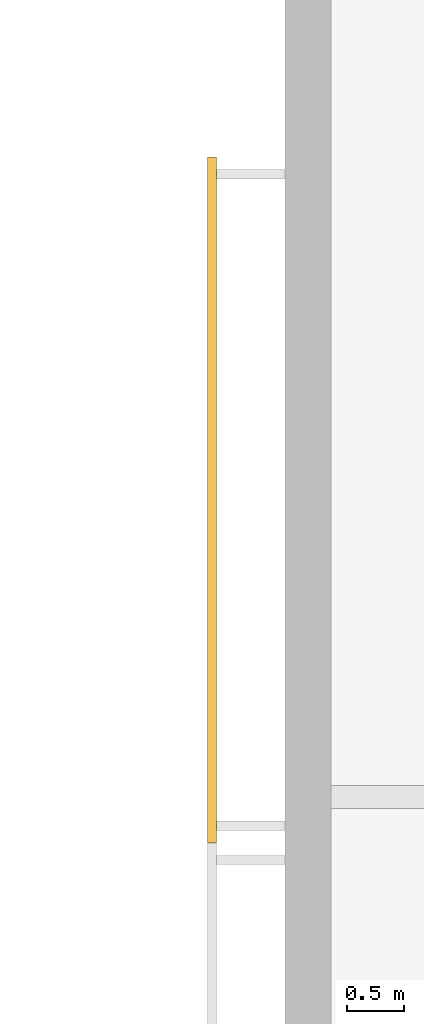
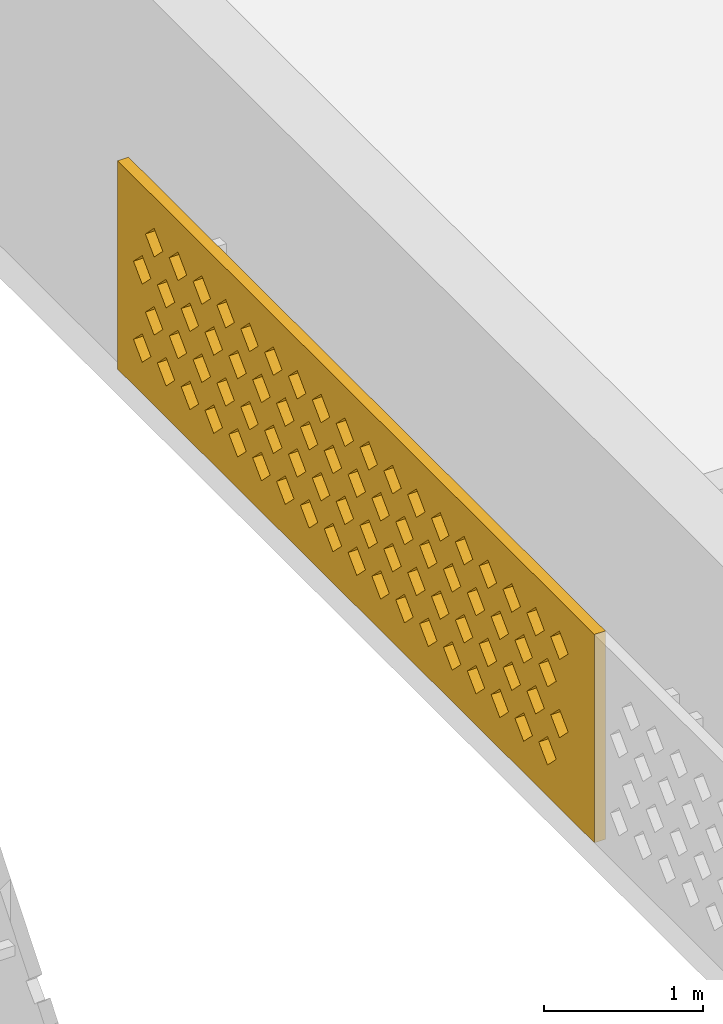
# One storey, part 16 of 18: 1 covering.
"""IFC4 building model written with IfcOpenShell, lengths in metres."""

from ifc_helpers import new_model, si_unit, direction, frame, origin, place, context, subcontext, project, spatial, polyline, outline, extrude, source, transform, mapped, material, material_profile, profile_set, type_object, element, save


model = new_model("IFC4")

# Units and contexts
model_context = context("Model", 3, precision=1e-05, world=origin(), true_north=direction((0.0, 1.0)))
body_context = subcontext(model_context, "Body", "Model", "MODEL_VIEW")
ifc_project = project(units=[si_unit("LENGTHUNIT", "METRE"), si_unit("AREAUNIT", "SQUARE_METRE"), si_unit("VOLUMEUNIT", "CUBIC_METRE"), si_unit("PLANEANGLEUNIT", "RADIAN"), si_unit("MASSUNIT", "GRAM", prefix="KILO")], contexts=[model_context])

# Site, building, storey
site_placement = place(None, origin())
site = spatial("IfcSite", under=ifc_project, at=site_placement, CompositionType="ELEMENT")
building_placement = place(site_placement, origin())
building = spatial("IfcBuilding", under=site, at=building_placement, Name="Poui Terraces", CompositionType="ELEMENT")
storey_placement = place(building_placement, frame((0.0, 0.0, 279.0)))
storey = spatial("IfcBuildingStorey", under=building, at=storey_placement, Name="L77 CROWN", CompositionType="ELEMENT", Elevation=279.0)

# Covering
ifc_material = material(Name="Terracotta screen", Category="masonry")
ifc_material_profile = material_profile(ifc_material, outline(polyline([(-3.0, -0.800048828125), (3.0, -0.800048828125), (3.0, 0.800048828125), (-3.0, 0.800048828125), (-3.0, -0.800048828125)]), holes=[polyline([(-2.800048828125, -0.449951171875), (-2.68994140625, -0.56005859375), (-2.580078125, -0.449951171875), (-2.68994140625, -0.340087890625), (-2.800048828125, -0.449951171875)]), polyline([(-2.5, -0.449951171875), (-2.389892578125, -0.56005859375), (-2.280029296875, -0.449951171875), (-2.389892578125, -0.340087890625), (-2.5, -0.449951171875)]), polyline([(-2.199951171875, -0.449951171875), (-2.090087890625, -0.56005859375), (-1.97998046875, -0.449951171875), (-2.090087890625, -0.340087890625), (-2.199951171875, -0.449951171875)]), polyline([(-1.89990234375, -0.449951171875), (-1.7900390625, -0.56005859375), (-1.679931640625, -0.449951171875), (-1.7900390625, -0.340087890625), (-1.89990234375, -0.449951171875)]), polyline([(-1.60009765625, -0.449951171875), (-1.489990234375, -0.56005859375), (-1.3798828125, -0.449951171875), (-1.489990234375, -0.340087890625), (-1.60009765625, -0.449951171875)]), polyline([(-1.300048828125, -0.449951171875), (-1.18994140625, -0.56005859375), (-1.080078125, -0.449951171875), (-1.18994140625, -0.340087890625), (-1.300048828125, -0.449951171875)]), polyline([(-1.0, -0.449951171875), (-0.889892578125, -0.56005859375), (-0.780029296875, -0.449951171875), (-0.889892578125, -0.340087890625), (-1.0, -0.449951171875)]), polyline([(-0.699951171875, -0.449951171875), (-0.590087890625, -0.56005859375), (-0.47998046875, -0.449951171875), (-0.590087890625, -0.340087890625), (-0.699951171875, -0.449951171875)]), polyline([(-0.39990234375, -0.449951171875), (-0.2900390625, -0.56005859375), (-0.179931640625, -0.449951171875), (-0.2900390625, -0.340087890625), (-0.39990234375, -0.449951171875)]), polyline([(-0.10009765625, -0.449951171875), (0.010009765625, -0.56005859375), (0.1201171875, -0.449951171875), (0.010009765625, -0.340087890625), (-0.10009765625, -0.449951171875)]), polyline([(0.199951171875, -0.449951171875), (0.31005859375, -0.56005859375), (0.419921875, -0.449951171875), (0.31005859375, -0.340087890625), (0.199951171875, -0.449951171875)]), polyline([(0.5, -0.449951171875), (0.610107421875, -0.56005859375), (0.719970703125, -0.449951171875), (0.610107421875, -0.340087890625), (0.5, -0.449951171875)]), polyline([(0.800048828125, -0.449951171875), (0.909912109375, -0.56005859375), (1.02001953125, -0.449951171875), (0.909912109375, -0.340087890625), (0.800048828125, -0.449951171875)]), polyline([(1.10009765625, -0.449951171875), (1.2099609375, -0.56005859375), (1.320068359375, -0.449951171875), (1.2099609375, -0.340087890625), (1.10009765625, -0.449951171875)]), polyline([(1.39990234375, -0.449951171875), (1.510009765625, -0.56005859375), (1.6201171875, -0.449951171875), (1.510009765625, -0.340087890625), (1.39990234375, -0.449951171875)]), polyline([(1.699951171875, -0.449951171875), (1.81005859375, -0.56005859375), (1.919921875, -0.449951171875), (1.81005859375, -0.340087890625), (1.699951171875, -0.449951171875)]), polyline([(2.0, -0.449951171875), (2.110107421875, -0.56005859375), (2.219970703125, -0.449951171875), (2.110107421875, -0.340087890625), (2.0, -0.449951171875)]), polyline([(2.300048828125, -0.449951171875), (2.409912109375, -0.56005859375), (2.52001953125, -0.449951171875), (2.409912109375, -0.340087890625), (2.300048828125, -0.449951171875)]), polyline([(-2.64990234375, -0.14990234375), (-2.5400390625, -0.260009765625), (-2.429931640625, -0.14990234375), (-2.5400390625, -0.0400390625), (-2.64990234375, -0.14990234375)]), polyline([(-2.35009765625, -0.14990234375), (-2.239990234375, -0.260009765625), (-2.1298828125, -0.14990234375), (-2.239990234375, -0.0400390625), (-2.35009765625, -0.14990234375)]), polyline([(-2.050048828125, -0.14990234375), (-1.93994140625, -0.260009765625), (-1.830078125, -0.14990234375), (-1.93994140625, -0.0400390625), (-2.050048828125, -0.14990234375)]), polyline([(-1.75, -0.14990234375), (-1.639892578125, -0.260009765625), (-1.530029296875, -0.14990234375), (-1.639892578125, -0.0400390625), (-1.75, -0.14990234375)]), polyline([(-1.449951171875, -0.14990234375), (-1.340087890625, -0.260009765625), (-1.22998046875, -0.14990234375), (-1.340087890625, -0.0400390625), (-1.449951171875, -0.14990234375)]), polyline([(-1.14990234375, -0.14990234375), (-1.0400390625, -0.260009765625), (-0.929931640625, -0.14990234375), (-1.0400390625, -0.0400390625), (-1.14990234375, -0.14990234375)]), polyline([(-0.85009765625, -0.14990234375), (-0.739990234375, -0.260009765625), (-0.6298828125, -0.14990234375), (-0.739990234375, -0.0400390625), (-0.85009765625, -0.14990234375)]), polyline([(-0.550048828125, -0.14990234375), (-0.43994140625, -0.260009765625), (-0.330078125, -0.14990234375), (-0.43994140625, -0.0400390625), (-0.550048828125, -0.14990234375)]), polyline([(-0.25, -0.14990234375), (-0.139892578125, -0.260009765625), (-0.030029296875, -0.14990234375), (-0.139892578125, -0.0400390625), (-0.25, -0.14990234375)]), polyline([(0.050048828125, -0.14990234375), (0.159912109375, -0.260009765625), (0.27001953125, -0.14990234375), (0.159912109375, -0.0400390625), (0.050048828125, -0.14990234375)]), polyline([(0.35009765625, -0.14990234375), (0.4599609375, -0.260009765625), (0.570068359375, -0.14990234375), (0.4599609375, -0.0400390625), (0.35009765625, -0.14990234375)]), polyline([(0.64990234375, -0.14990234375), (0.760009765625, -0.260009765625), (0.8701171875, -0.14990234375), (0.760009765625, -0.0400390625), (0.64990234375, -0.14990234375)]), polyline([(0.949951171875, -0.14990234375), (1.06005859375, -0.260009765625), (1.169921875, -0.14990234375), (1.06005859375, -0.0400390625), (0.949951171875, -0.14990234375)]), polyline([(1.25, -0.14990234375), (1.360107421875, -0.260009765625), (1.469970703125, -0.14990234375), (1.360107421875, -0.0400390625), (1.25, -0.14990234375)]), polyline([(1.550048828125, -0.14990234375), (1.659912109375, -0.260009765625), (1.77001953125, -0.14990234375), (1.659912109375, -0.0400390625), (1.550048828125, -0.14990234375)]), polyline([(1.85009765625, -0.14990234375), (1.9599609375, -0.260009765625), (2.070068359375, -0.14990234375), (1.9599609375, -0.0400390625), (1.85009765625, -0.14990234375)]), polyline([(2.14990234375, -0.14990234375), (2.260009765625, -0.260009765625), (2.3701171875, -0.14990234375), (2.260009765625, -0.0400390625), (2.14990234375, -0.14990234375)]), polyline([(2.449951171875, -0.14990234375), (2.56005859375, -0.260009765625), (2.669921875, -0.14990234375), (2.56005859375, -0.0400390625), (2.449951171875, -0.14990234375)]), polyline([(-2.800048828125, 0.14990234375), (-2.68994140625, 0.0400390625), (-2.580078125, 0.14990234375), (-2.68994140625, 0.260009765625), (-2.800048828125, 0.14990234375)]), polyline([(-2.5, 0.14990234375), (-2.389892578125, 0.0400390625), (-2.280029296875, 0.14990234375), (-2.389892578125, 0.260009765625), (-2.5, 0.14990234375)]), polyline([(-2.199951171875, 0.14990234375), (-2.090087890625, 0.0400390625), (-1.97998046875, 0.14990234375), (-2.090087890625, 0.260009765625), (-2.199951171875, 0.14990234375)]), polyline([(-1.89990234375, 0.14990234375), (-1.7900390625, 0.0400390625), (-1.679931640625, 0.14990234375), (-1.7900390625, 0.260009765625), (-1.89990234375, 0.14990234375)]), polyline([(-1.60009765625, 0.14990234375), (-1.489990234375, 0.0400390625), (-1.3798828125, 0.14990234375), (-1.489990234375, 0.260009765625), (-1.60009765625, 0.14990234375)]), polyline([(-1.300048828125, 0.14990234375), (-1.18994140625, 0.0400390625), (-1.080078125, 0.14990234375), (-1.18994140625, 0.260009765625), (-1.300048828125, 0.14990234375)]), polyline([(-1.0, 0.14990234375), (-0.889892578125, 0.0400390625), (-0.780029296875, 0.14990234375), (-0.889892578125, 0.260009765625), (-1.0, 0.14990234375)]), polyline([(-0.699951171875, 0.14990234375), (-0.590087890625, 0.0400390625), (-0.47998046875, 0.14990234375), (-0.590087890625, 0.260009765625), (-0.699951171875, 0.14990234375)]), polyline([(-0.39990234375, 0.14990234375), (-0.2900390625, 0.0400390625), (-0.179931640625, 0.14990234375), (-0.2900390625, 0.260009765625), (-0.39990234375, 0.14990234375)]), polyline([(-0.10009765625, 0.14990234375), (0.010009765625, 0.0400390625), (0.1201171875, 0.14990234375), (0.010009765625, 0.260009765625), (-0.10009765625, 0.14990234375)]), polyline([(0.199951171875, 0.14990234375), (0.31005859375, 0.0400390625), (0.419921875, 0.14990234375), (0.31005859375, 0.260009765625), (0.199951171875, 0.14990234375)]), polyline([(0.5, 0.14990234375), (0.610107421875, 0.0400390625), (0.719970703125, 0.14990234375), (0.610107421875, 0.260009765625), (0.5, 0.14990234375)]), polyline([(0.800048828125, 0.14990234375), (0.909912109375, 0.0400390625), (1.02001953125, 0.14990234375), (0.909912109375, 0.260009765625), (0.800048828125, 0.14990234375)]), polyline([(1.10009765625, 0.14990234375), (1.2099609375, 0.0400390625), (1.320068359375, 0.14990234375), (1.2099609375, 0.260009765625), (1.10009765625, 0.14990234375)]), polyline([(1.39990234375, 0.14990234375), (1.510009765625, 0.0400390625), (1.6201171875, 0.14990234375), (1.510009765625, 0.260009765625), (1.39990234375, 0.14990234375)]), polyline([(1.699951171875, 0.14990234375), (1.81005859375, 0.0400390625), (1.919921875, 0.14990234375), (1.81005859375, 0.260009765625), (1.699951171875, 0.14990234375)]), polyline([(2.0, 0.14990234375), (2.110107421875, 0.0400390625), (2.219970703125, 0.14990234375), (2.110107421875, 0.260009765625), (2.0, 0.14990234375)]), polyline([(2.300048828125, 0.14990234375), (2.409912109375, 0.0400390625), (2.52001953125, 0.14990234375), (2.409912109375, 0.260009765625), (2.300048828125, 0.14990234375)]), polyline([(-2.64990234375, 0.449951171875), (-2.5400390625, 0.340087890625), (-2.429931640625, 0.449951171875), (-2.5400390625, 0.56005859375), (-2.64990234375, 0.449951171875)]), polyline([(-2.35009765625, 0.449951171875), (-2.239990234375, 0.340087890625), (-2.1298828125, 0.449951171875), (-2.239990234375, 0.56005859375), (-2.35009765625, 0.449951171875)]), polyline([(-2.050048828125, 0.449951171875), (-1.93994140625, 0.340087890625), (-1.830078125, 0.449951171875), (-1.93994140625, 0.56005859375), (-2.050048828125, 0.449951171875)]), polyline([(-1.75, 0.449951171875), (-1.639892578125, 0.340087890625), (-1.530029296875, 0.449951171875), (-1.639892578125, 0.56005859375), (-1.75, 0.449951171875)]), polyline([(-1.449951171875, 0.449951171875), (-1.340087890625, 0.340087890625), (-1.22998046875, 0.449951171875), (-1.340087890625, 0.56005859375), (-1.449951171875, 0.449951171875)]), polyline([(-1.14990234375, 0.449951171875), (-1.0400390625, 0.340087890625), (-0.929931640625, 0.449951171875), (-1.0400390625, 0.56005859375), (-1.14990234375, 0.449951171875)]), polyline([(-0.85009765625, 0.449951171875), (-0.739990234375, 0.340087890625), (-0.6298828125, 0.449951171875), (-0.739990234375, 0.56005859375), (-0.85009765625, 0.449951171875)]), polyline([(-0.550048828125, 0.449951171875), (-0.43994140625, 0.340087890625), (-0.330078125, 0.449951171875), (-0.43994140625, 0.56005859375), (-0.550048828125, 0.449951171875)]), polyline([(-0.25, 0.449951171875), (-0.139892578125, 0.340087890625), (-0.030029296875, 0.449951171875), (-0.139892578125, 0.56005859375), (-0.25, 0.449951171875)]), polyline([(0.050048828125, 0.449951171875), (0.159912109375, 0.340087890625), (0.27001953125, 0.449951171875), (0.159912109375, 0.56005859375), (0.050048828125, 0.449951171875)]), polyline([(0.35009765625, 0.449951171875), (0.4599609375, 0.340087890625), (0.570068359375, 0.449951171875), (0.4599609375, 0.56005859375), (0.35009765625, 0.449951171875)]), polyline([(0.64990234375, 0.449951171875), (0.760009765625, 0.340087890625), (0.8701171875, 0.449951171875), (0.760009765625, 0.56005859375), (0.64990234375, 0.449951171875)]), polyline([(0.949951171875, 0.449951171875), (1.06005859375, 0.340087890625), (1.169921875, 0.449951171875), (1.06005859375, 0.56005859375), (0.949951171875, 0.449951171875)]), polyline([(1.25, 0.449951171875), (1.360107421875, 0.340087890625), (1.469970703125, 0.449951171875), (1.360107421875, 0.56005859375), (1.25, 0.449951171875)]), polyline([(1.550048828125, 0.449951171875), (1.659912109375, 0.340087890625), (1.77001953125, 0.449951171875), (1.659912109375, 0.56005859375), (1.550048828125, 0.449951171875)]), polyline([(1.85009765625, 0.449951171875), (1.9599609375, 0.340087890625), (2.070068359375, 0.449951171875), (1.9599609375, 0.56005859375), (1.85009765625, 0.449951171875)]), polyline([(2.14990234375, 0.449951171875), (2.260009765625, 0.340087890625), (2.3701171875, 0.449951171875), (2.260009765625, 0.56005859375), (2.14990234375, 0.449951171875)]), polyline([(2.449951171875, 0.449951171875), (2.56005859375, 0.340087890625), (2.669921875, 0.449951171875), (2.56005859375, 0.56005859375), (2.449951171875, 0.449951171875)])]), Name="TERRACOTTA SOLAR SCREEN 6000X1600")
ifc_profile_set = profile_set([ifc_material_profile], Name="Terracotta screen")
covering_type = type_object("IfcCoveringType", Name="TERRACOTTA SOLAR SCREEN 6000X1600", PredefinedType="CLADDING", material=ifc_profile_set)
shared_shape = source(origin(), body_context, "Body", "SweptSolid", [
    extrude(outline(polyline([(-3.0, -0.800048828125), (3.0, -0.800048828125), (3.0, 0.800048828125), (-3.0, 0.800048828125), (-3.0, -0.800048828125)]), holes=[polyline([(-2.800048828125, -0.449951171875), (-2.68994140625, -0.56005859375), (-2.580078125, -0.449951171875), (-2.68994140625, -0.340087890625), (-2.800048828125, -0.449951171875)]), polyline([(-2.5, -0.449951171875), (-2.389892578125, -0.56005859375), (-2.280029296875, -0.449951171875), (-2.389892578125, -0.340087890625), (-2.5, -0.449951171875)]), polyline([(-2.199951171875, -0.449951171875), (-2.090087890625, -0.56005859375), (-1.97998046875, -0.449951171875), (-2.090087890625, -0.340087890625), (-2.199951171875, -0.449951171875)]), polyline([(-1.89990234375, -0.449951171875), (-1.7900390625, -0.56005859375), (-1.679931640625, -0.449951171875), (-1.7900390625, -0.340087890625), (-1.89990234375, -0.449951171875)]), polyline([(-1.60009765625, -0.449951171875), (-1.489990234375, -0.56005859375), (-1.3798828125, -0.449951171875), (-1.489990234375, -0.340087890625), (-1.60009765625, -0.449951171875)]), polyline([(-1.300048828125, -0.449951171875), (-1.18994140625, -0.56005859375), (-1.080078125, -0.449951171875), (-1.18994140625, -0.340087890625), (-1.300048828125, -0.449951171875)]), polyline([(-1.0, -0.449951171875), (-0.889892578125, -0.56005859375), (-0.780029296875, -0.449951171875), (-0.889892578125, -0.340087890625), (-1.0, -0.449951171875)]), polyline([(-0.699951171875, -0.449951171875), (-0.590087890625, -0.56005859375), (-0.47998046875, -0.449951171875), (-0.590087890625, -0.340087890625), (-0.699951171875, -0.449951171875)]), polyline([(-0.39990234375, -0.449951171875), (-0.2900390625, -0.56005859375), (-0.179931640625, -0.449951171875), (-0.2900390625, -0.340087890625), (-0.39990234375, -0.449951171875)]), polyline([(-0.10009765625, -0.449951171875), (0.010009765625, -0.56005859375), (0.1201171875, -0.449951171875), (0.010009765625, -0.340087890625), (-0.10009765625, -0.449951171875)]), polyline([(0.199951171875, -0.449951171875), (0.31005859375, -0.56005859375), (0.419921875, -0.449951171875), (0.31005859375, -0.340087890625), (0.199951171875, -0.449951171875)]), polyline([(0.5, -0.449951171875), (0.610107421875, -0.56005859375), (0.719970703125, -0.449951171875), (0.610107421875, -0.340087890625), (0.5, -0.449951171875)]), polyline([(0.800048828125, -0.449951171875), (0.909912109375, -0.56005859375), (1.02001953125, -0.449951171875), (0.909912109375, -0.340087890625), (0.800048828125, -0.449951171875)]), polyline([(1.10009765625, -0.449951171875), (1.2099609375, -0.56005859375), (1.320068359375, -0.449951171875), (1.2099609375, -0.340087890625), (1.10009765625, -0.449951171875)]), polyline([(1.39990234375, -0.449951171875), (1.510009765625, -0.56005859375), (1.6201171875, -0.449951171875), (1.510009765625, -0.340087890625), (1.39990234375, -0.449951171875)]), polyline([(1.699951171875, -0.449951171875), (1.81005859375, -0.56005859375), (1.919921875, -0.449951171875), (1.81005859375, -0.340087890625), (1.699951171875, -0.449951171875)]), polyline([(2.0, -0.449951171875), (2.110107421875, -0.56005859375), (2.219970703125, -0.449951171875), (2.110107421875, -0.340087890625), (2.0, -0.449951171875)]), polyline([(2.300048828125, -0.449951171875), (2.409912109375, -0.56005859375), (2.52001953125, -0.449951171875), (2.409912109375, -0.340087890625), (2.300048828125, -0.449951171875)]), polyline([(-2.64990234375, -0.14990234375), (-2.5400390625, -0.260009765625), (-2.429931640625, -0.14990234375), (-2.5400390625, -0.0400390625), (-2.64990234375, -0.14990234375)]), polyline([(-2.35009765625, -0.14990234375), (-2.239990234375, -0.260009765625), (-2.1298828125, -0.14990234375), (-2.239990234375, -0.0400390625), (-2.35009765625, -0.14990234375)]), polyline([(-2.050048828125, -0.14990234375), (-1.93994140625, -0.260009765625), (-1.830078125, -0.14990234375), (-1.93994140625, -0.0400390625), (-2.050048828125, -0.14990234375)]), polyline([(-1.75, -0.14990234375), (-1.639892578125, -0.260009765625), (-1.530029296875, -0.14990234375), (-1.639892578125, -0.0400390625), (-1.75, -0.14990234375)]), polyline([(-1.449951171875, -0.14990234375), (-1.340087890625, -0.260009765625), (-1.22998046875, -0.14990234375), (-1.340087890625, -0.0400390625), (-1.449951171875, -0.14990234375)]), polyline([(-1.14990234375, -0.14990234375), (-1.0400390625, -0.260009765625), (-0.929931640625, -0.14990234375), (-1.0400390625, -0.0400390625), (-1.14990234375, -0.14990234375)]), polyline([(-0.85009765625, -0.14990234375), (-0.739990234375, -0.260009765625), (-0.6298828125, -0.14990234375), (-0.739990234375, -0.0400390625), (-0.85009765625, -0.14990234375)]), polyline([(-0.550048828125, -0.14990234375), (-0.43994140625, -0.260009765625), (-0.330078125, -0.14990234375), (-0.43994140625, -0.0400390625), (-0.550048828125, -0.14990234375)]), polyline([(-0.25, -0.14990234375), (-0.139892578125, -0.260009765625), (-0.030029296875, -0.14990234375), (-0.139892578125, -0.0400390625), (-0.25, -0.14990234375)]), polyline([(0.050048828125, -0.14990234375), (0.159912109375, -0.260009765625), (0.27001953125, -0.14990234375), (0.159912109375, -0.0400390625), (0.050048828125, -0.14990234375)]), polyline([(0.35009765625, -0.14990234375), (0.4599609375, -0.260009765625), (0.570068359375, -0.14990234375), (0.4599609375, -0.0400390625), (0.35009765625, -0.14990234375)]), polyline([(0.64990234375, -0.14990234375), (0.760009765625, -0.260009765625), (0.8701171875, -0.14990234375), (0.760009765625, -0.0400390625), (0.64990234375, -0.14990234375)]), polyline([(0.949951171875, -0.14990234375), (1.06005859375, -0.260009765625), (1.169921875, -0.14990234375), (1.06005859375, -0.0400390625), (0.949951171875, -0.14990234375)]), polyline([(1.25, -0.14990234375), (1.360107421875, -0.260009765625), (1.469970703125, -0.14990234375), (1.360107421875, -0.0400390625), (1.25, -0.14990234375)]), polyline([(1.550048828125, -0.14990234375), (1.659912109375, -0.260009765625), (1.77001953125, -0.14990234375), (1.659912109375, -0.0400390625), (1.550048828125, -0.14990234375)]), polyline([(1.85009765625, -0.14990234375), (1.9599609375, -0.260009765625), (2.070068359375, -0.14990234375), (1.9599609375, -0.0400390625), (1.85009765625, -0.14990234375)]), polyline([(2.14990234375, -0.14990234375), (2.260009765625, -0.260009765625), (2.3701171875, -0.14990234375), (2.260009765625, -0.0400390625), (2.14990234375, -0.14990234375)]), polyline([(2.449951171875, -0.14990234375), (2.56005859375, -0.260009765625), (2.669921875, -0.14990234375), (2.56005859375, -0.0400390625), (2.449951171875, -0.14990234375)]), polyline([(-2.800048828125, 0.14990234375), (-2.68994140625, 0.0400390625), (-2.580078125, 0.14990234375), (-2.68994140625, 0.260009765625), (-2.800048828125, 0.14990234375)]), polyline([(-2.5, 0.14990234375), (-2.389892578125, 0.0400390625), (-2.280029296875, 0.14990234375), (-2.389892578125, 0.260009765625), (-2.5, 0.14990234375)]), polyline([(-2.199951171875, 0.14990234375), (-2.090087890625, 0.0400390625), (-1.97998046875, 0.14990234375), (-2.090087890625, 0.260009765625), (-2.199951171875, 0.14990234375)]), polyline([(-1.89990234375, 0.14990234375), (-1.7900390625, 0.0400390625), (-1.679931640625, 0.14990234375), (-1.7900390625, 0.260009765625), (-1.89990234375, 0.14990234375)]), polyline([(-1.60009765625, 0.14990234375), (-1.489990234375, 0.0400390625), (-1.3798828125, 0.14990234375), (-1.489990234375, 0.260009765625), (-1.60009765625, 0.14990234375)]), polyline([(-1.300048828125, 0.14990234375), (-1.18994140625, 0.0400390625), (-1.080078125, 0.14990234375), (-1.18994140625, 0.260009765625), (-1.300048828125, 0.14990234375)]), polyline([(-1.0, 0.14990234375), (-0.889892578125, 0.0400390625), (-0.780029296875, 0.14990234375), (-0.889892578125, 0.260009765625), (-1.0, 0.14990234375)]), polyline([(-0.699951171875, 0.14990234375), (-0.590087890625, 0.0400390625), (-0.47998046875, 0.14990234375), (-0.590087890625, 0.260009765625), (-0.699951171875, 0.14990234375)]), polyline([(-0.39990234375, 0.14990234375), (-0.2900390625, 0.0400390625), (-0.179931640625, 0.14990234375), (-0.2900390625, 0.260009765625), (-0.39990234375, 0.14990234375)]), polyline([(-0.10009765625, 0.14990234375), (0.010009765625, 0.0400390625), (0.1201171875, 0.14990234375), (0.010009765625, 0.260009765625), (-0.10009765625, 0.14990234375)]), polyline([(0.199951171875, 0.14990234375), (0.31005859375, 0.0400390625), (0.419921875, 0.14990234375), (0.31005859375, 0.260009765625), (0.199951171875, 0.14990234375)]), polyline([(0.5, 0.14990234375), (0.610107421875, 0.0400390625), (0.719970703125, 0.14990234375), (0.610107421875, 0.260009765625), (0.5, 0.14990234375)]), polyline([(0.800048828125, 0.14990234375), (0.909912109375, 0.0400390625), (1.02001953125, 0.14990234375), (0.909912109375, 0.260009765625), (0.800048828125, 0.14990234375)]), polyline([(1.10009765625, 0.14990234375), (1.2099609375, 0.0400390625), (1.320068359375, 0.14990234375), (1.2099609375, 0.260009765625), (1.10009765625, 0.14990234375)]), polyline([(1.39990234375, 0.14990234375), (1.510009765625, 0.0400390625), (1.6201171875, 0.14990234375), (1.510009765625, 0.260009765625), (1.39990234375, 0.14990234375)]), polyline([(1.699951171875, 0.14990234375), (1.81005859375, 0.0400390625), (1.919921875, 0.14990234375), (1.81005859375, 0.260009765625), (1.699951171875, 0.14990234375)]), polyline([(2.0, 0.14990234375), (2.110107421875, 0.0400390625), (2.219970703125, 0.14990234375), (2.110107421875, 0.260009765625), (2.0, 0.14990234375)]), polyline([(2.300048828125, 0.14990234375), (2.409912109375, 0.0400390625), (2.52001953125, 0.14990234375), (2.409912109375, 0.260009765625), (2.300048828125, 0.14990234375)]), polyline([(-2.64990234375, 0.449951171875), (-2.5400390625, 0.340087890625), (-2.429931640625, 0.449951171875), (-2.5400390625, 0.56005859375), (-2.64990234375, 0.449951171875)]), polyline([(-2.35009765625, 0.449951171875), (-2.239990234375, 0.340087890625), (-2.1298828125, 0.449951171875), (-2.239990234375, 0.56005859375), (-2.35009765625, 0.449951171875)]), polyline([(-2.050048828125, 0.449951171875), (-1.93994140625, 0.340087890625), (-1.830078125, 0.449951171875), (-1.93994140625, 0.56005859375), (-2.050048828125, 0.449951171875)]), polyline([(-1.75, 0.449951171875), (-1.639892578125, 0.340087890625), (-1.530029296875, 0.449951171875), (-1.639892578125, 0.56005859375), (-1.75, 0.449951171875)]), polyline([(-1.449951171875, 0.449951171875), (-1.340087890625, 0.340087890625), (-1.22998046875, 0.449951171875), (-1.340087890625, 0.56005859375), (-1.449951171875, 0.449951171875)]), polyline([(-1.14990234375, 0.449951171875), (-1.0400390625, 0.340087890625), (-0.929931640625, 0.449951171875), (-1.0400390625, 0.56005859375), (-1.14990234375, 0.449951171875)]), polyline([(-0.85009765625, 0.449951171875), (-0.739990234375, 0.340087890625), (-0.6298828125, 0.449951171875), (-0.739990234375, 0.56005859375), (-0.85009765625, 0.449951171875)]), polyline([(-0.550048828125, 0.449951171875), (-0.43994140625, 0.340087890625), (-0.330078125, 0.449951171875), (-0.43994140625, 0.56005859375), (-0.550048828125, 0.449951171875)]), polyline([(-0.25, 0.449951171875), (-0.139892578125, 0.340087890625), (-0.030029296875, 0.449951171875), (-0.139892578125, 0.56005859375), (-0.25, 0.449951171875)]), polyline([(0.050048828125, 0.449951171875), (0.159912109375, 0.340087890625), (0.27001953125, 0.449951171875), (0.159912109375, 0.56005859375), (0.050048828125, 0.449951171875)]), polyline([(0.35009765625, 0.449951171875), (0.4599609375, 0.340087890625), (0.570068359375, 0.449951171875), (0.4599609375, 0.56005859375), (0.35009765625, 0.449951171875)]), polyline([(0.64990234375, 0.449951171875), (0.760009765625, 0.340087890625), (0.8701171875, 0.449951171875), (0.760009765625, 0.56005859375), (0.64990234375, 0.449951171875)]), polyline([(0.949951171875, 0.449951171875), (1.06005859375, 0.340087890625), (1.169921875, 0.449951171875), (1.06005859375, 0.56005859375), (0.949951171875, 0.449951171875)]), polyline([(1.25, 0.449951171875), (1.360107421875, 0.340087890625), (1.469970703125, 0.449951171875), (1.360107421875, 0.56005859375), (1.25, 0.449951171875)]), polyline([(1.550048828125, 0.449951171875), (1.659912109375, 0.340087890625), (1.77001953125, 0.449951171875), (1.659912109375, 0.56005859375), (1.550048828125, 0.449951171875)]), polyline([(1.85009765625, 0.449951171875), (1.9599609375, 0.340087890625), (2.070068359375, 0.449951171875), (1.9599609375, 0.56005859375), (1.85009765625, 0.449951171875)]), polyline([(2.14990234375, 0.449951171875), (2.260009765625, 0.340087890625), (2.3701171875, 0.449951171875), (2.260009765625, 0.56005859375), (2.14990234375, 0.449951171875)]), polyline([(2.449951171875, 0.449951171875), (2.56005859375, 0.340087890625), (2.669921875, 0.449951171875), (2.56005859375, 0.56005859375), (2.449951171875, 0.449951171875)])]), origin(), (0.0, 0.0, 1.0), 0.079833984375),
])
covering_placement = place(storey_placement, frame((53.199951171875, 33.0, 1.699951171875), z_axis=(-1.0, 0.0, 0.0), x_axis=(0.0, -1.0, 0.0)))
element("IfcCovering", 1, at=covering_placement, inside=storey, type_object=covering_type, Name="SOLAR SCREEN", PredefinedType="CLADDING", context=body_context, shape_type="MappedRepresentation", body=[
    mapped(shared_shape, transform((0.0, 0.0, 0.0))),
])

save(model, "model.ifc")
